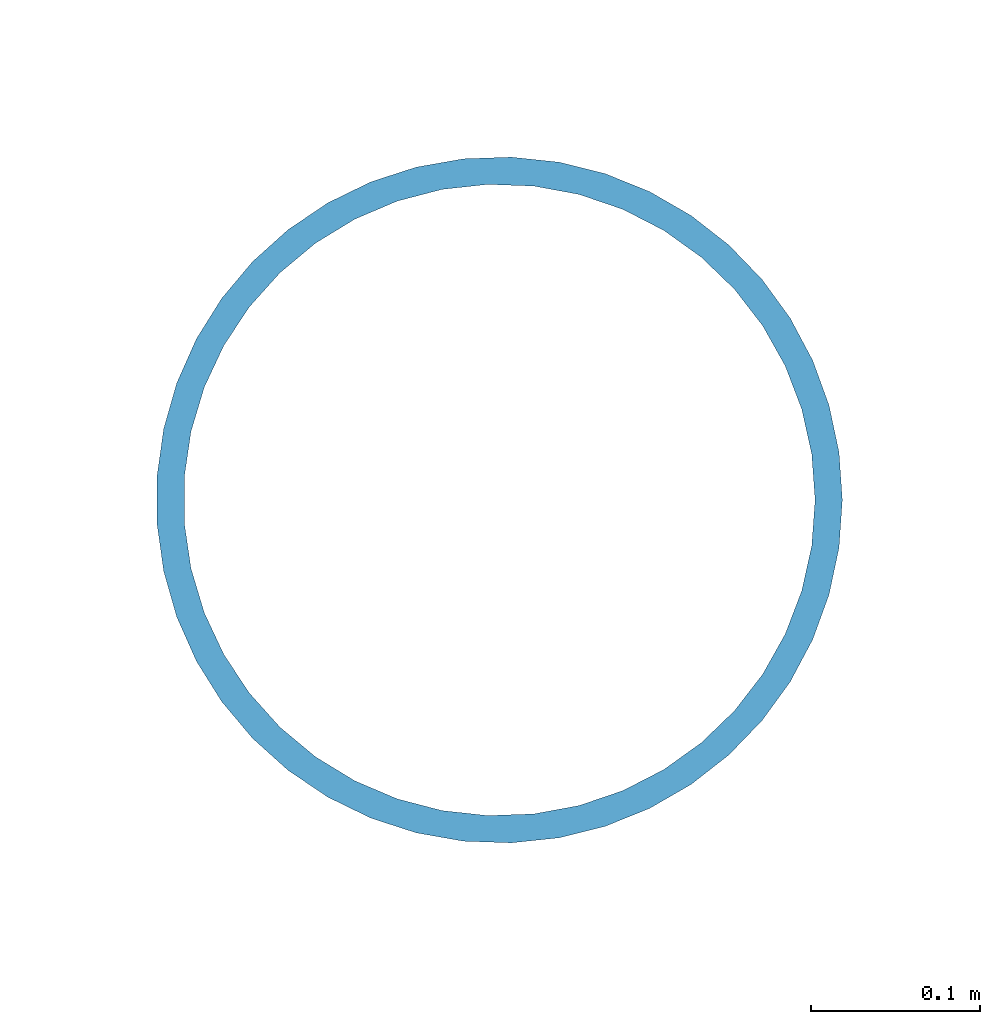
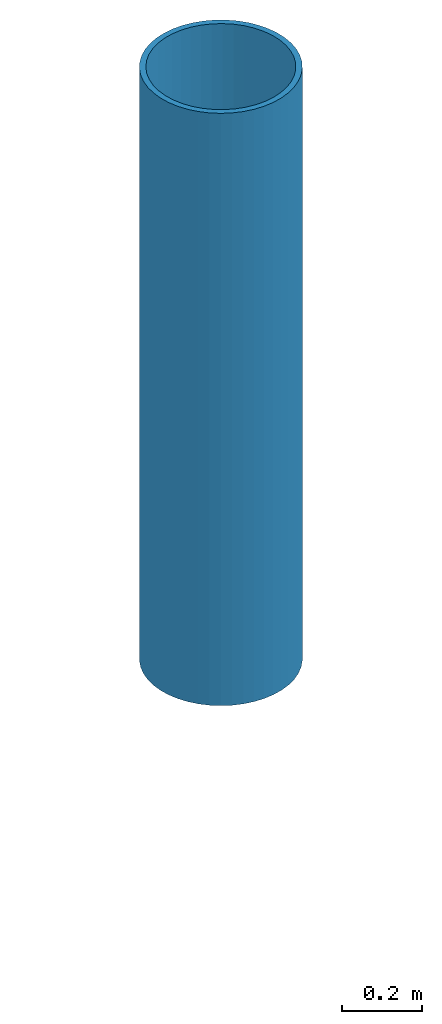
# One storey, part 9 of 101: 1 column.
"""IFC4 building model written with IfcOpenShell, lengths in metres."""

import ifcopenshell
import ifcopenshell.guid

model = None  # the IFC model being written
_history = None  # IfcOwnerHistory: only IFC2X3 demands one
_inside = {}  # id of a spatial element -> (the spatial element, [elements in it])
_under = {}  # id of a project, library or spatial element -> (it, [spatial elements below it])
_declared = {}  # id of a project -> (the project, [libraries it declares])
_typed = {}  # id of a type object -> (the type object, [elements of that type])
_made_of = {}  # id of a material, layer set ... -> (it, [elements and type objects made of it])


def new_model(schema):
    """Start an empty IFC model of exactly this schema.

    Asked for "IFC4X3", IfcOpenShell would pick the latest addendum, in which some entities
    have other attributes; the version numbers below select the first issue.
    IFC2X3 requires an IfcOwnerHistory on every rooted entity: one is made here for all.
    """
    global model, _history
    if schema == "IFC4X3":
        model = ifcopenshell.file(schema_version=(4, 3, 0, 0))
    else:
        model = ifcopenshell.file(schema=schema)
    _inside.clear()
    _under.clear()
    _declared.clear()
    _typed.clear()
    _made_of.clear()
    _history = None
    if model.schema == "IFC2X3":
        org = make("IfcOrganization", Name="unknown")
        user = make(
            "IfcPersonAndOrganization",
            ThePerson=make("IfcPerson", FamilyName="unknown"),
            TheOrganization=org,
        )
        app = make(
            "IfcApplication",
            ApplicationDeveloper=org,
            Version="unknown",
            ApplicationFullName="unknown",
            ApplicationIdentifier="unknown",
        )
        _history = make(
            "IfcOwnerHistory",
            OwningUser=user,
            OwningApplication=app,
            ChangeAction="ADDED",
            CreationDate=0,
        )
    return model


def make(cls, **values):
    """One entity of the class cls with the attributes given. An attribute that is None is left unset."""
    return model.create_entity(
        cls, **{name: value for name, value in values.items() if value is not None}
    )


def rooted(cls, **values):
    """An entity with a GlobalId (a new one), such as an element, a storey or a relation."""
    return make(cls, GlobalId=ifcopenshell.guid.new(), OwnerHistory=_history, **values)


def si_unit(unit_type, name, prefix=None):
    """IfcSIUnit, for example si_unit("LENGTHUNIT", "METRE", prefix="MILLI")."""
    return make("IfcSIUnit", UnitType=unit_type, Prefix=prefix, Name=name)


def assignment(units):
    """IfcUnitAssignment: the units of a project."""
    return None if units is None else make("IfcUnitAssignment", Units=units)


def point(xyz):
    """IfcCartesianPoint."""
    return None if xyz is None else make("IfcCartesianPoint", Coordinates=xyz)


def direction(xyz):
    """IfcDirection."""
    return None if xyz is None else make("IfcDirection", DirectionRatios=xyz)


def frame(location, z_axis=None, x_axis=None):
    """IfcAxis2Placement3D, a coordinate frame: its origin and axes. An axis left out is left unset."""
    return make(
        "IfcAxis2Placement3D",
        Location=point(location),
        Axis=direction(z_axis),
        RefDirection=direction(x_axis),
    )


def frame_2d(location, x_axis=None):
    """IfcAxis2Placement2D, a coordinate frame in the plane: its origin and x axis."""
    return make(
        "IfcAxis2Placement2D", Location=point(location), RefDirection=direction(x_axis)
    )


def origin():
    """The frame at (0, 0, 0) with its axes left unset."""
    return frame((0.0, 0.0, 0.0))


def origin_2d():
    """The frame at (0, 0) in the plane with its x axis left unset."""
    return frame_2d((0.0, 0.0))


def place(relative_to, where):
    """IfcLocalPlacement: puts the frame where relative to a parent placement (None: the world)."""
    return make(
        "IfcLocalPlacement", PlacementRelTo=relative_to, RelativePlacement=where
    )


def context(
    kind, dimensions, precision=None, world=None, true_north=None, identifier=None
):
    """IfcGeometricRepresentationContext, for example the 3D "Model" context."""
    return make(
        "IfcGeometricRepresentationContext",
        ContextIdentifier=identifier,
        ContextType=kind,
        CoordinateSpaceDimension=dimensions,
        Precision=precision,
        WorldCoordinateSystem=world,
        TrueNorth=true_north,
    )


def subcontext(parent, identifier, kind, view, scale=None):
    """IfcGeometricRepresentationSubContext, for example "Body" below "Model"."""
    return make(
        "IfcGeometricRepresentationSubContext",
        ContextIdentifier=identifier,
        ContextType=kind,
        ParentContext=parent,
        TargetScale=scale,
        TargetView=view,
    )


def project(units=None, contexts=None):
    """IfcProject with its units and contexts."""
    return rooted(
        "IfcProject",
        Name="project",
        RepresentationContexts=contexts,
        UnitsInContext=assignment(units),
    )


def spatial(cls, under=None, at=None, **own):
    """A site, building, storey or space (cls), placed at a placement, below another one or the project."""
    s = rooted(cls, ObjectPlacement=at, **own)
    if under is not None:
        _under.setdefault(under.id(), (under, []))[1].append(s)
    return s


def profile(cls, at=None, kind="AREA", **sizes):
    """A parametric profile (cls). Its sizes go by their IFC names, for example OverallWidth=200.0."""
    return make(cls, ProfileType=kind, Position=at, **sizes)


def hollow_circle(**sizes):
    """IfcCircleHollowProfileDef."""
    return profile("IfcCircleHollowProfileDef", **sizes)


def extrude(swept, where, along, depth):
    """IfcExtrudedAreaSolid: the profile swept, set in the frame where, extruded along a direction by depth."""
    return make(
        "IfcExtrudedAreaSolid",
        SweptArea=swept,
        Position=where,
        ExtrudedDirection=direction(along),
        Depth=depth,
    )


def shape(context_of_items, identifier, shape_type, items):
    """IfcShapeRepresentation: the items that make up one representation, for example the "Body"."""
    return make(
        "IfcShapeRepresentation",
        ContextOfItems=context_of_items,
        RepresentationIdentifier=identifier,
        RepresentationType=shape_type,
        Items=items,
    )


def material(Name=None, Category=None):
    """IfcMaterial."""
    return make("IfcMaterial", Name=Name, Category=Category)


def material_profile(
    of_material, cross_section, Name=None, Category=None, Priority=None
):
    """IfcMaterialProfile: a cross section and its material."""
    return make(
        "IfcMaterialProfile",
        Name=Name,
        Material=of_material,
        Profile=cross_section,
        Priority=Priority,
        Category=Category,
    )


def profile_set(profiles, Name=None, composite=None):
    """IfcMaterialProfileSet."""
    return make(
        "IfcMaterialProfileSet",
        Name=Name,
        MaterialProfiles=profiles,
        CompositeProfile=composite,
    )


def made_of(thing, what):
    """Note that an element or type object is made of a material, layer set ...; save() writes the relation."""
    if what is not None:
        _made_of.setdefault(what.id(), (what, []))[1].append(thing)
    return thing


def type_object(cls, material=None, **own):
    """A type object (cls), such as IfcWallType, which elements share."""
    return made_of(rooted(cls, **own), material)


def element(
    cls,
    number,
    at=None,
    inside=None,
    cuts=None,
    type_object=None,
    material=None,
    context=None,
    identifier="Body",
    shape_type=None,
    held_by="IfcProductDefinitionShape",
    body=None,
    shapes=None,
    **own,
):
    """One element of the class cls, such as IfcWall. Its Tag is "e" and its number.

    at: its placement. inside: the storey or other place that contains it. cuts: it is an
    opening in that element (IfcRelVoidsElement). A single representation is given by context,
    identifier, shape_type and body (its items); several are given by shapes. held_by: the class
    of the entity that holds the representations. save() writes the other relations.
    """
    e = rooted(cls, Tag="e%d" % number, ObjectPlacement=at, **own)
    if body is not None:
        shapes = [shape(context, identifier, shape_type, body)]
    if shapes is not None:
        e.Representation = make(held_by, Representations=shapes)
    if inside is not None:
        _inside.setdefault(inside.id(), (inside, []))[1].append(e)
    if cuts is not None:
        rooted(
            "IfcRelVoidsElement", RelatingBuildingElement=cuts, RelatedOpeningElement=e
        )
    if type_object is not None:
        _typed.setdefault(type_object.id(), (type_object, []))[1].append(e)
    return made_of(e, material)


def aggregate(whole, parts):
    """IfcRelAggregates: a whole, such as a stair, and the parts it consists of."""
    return rooted("IfcRelAggregates", RelatingObject=whole, RelatedObjects=parts)


def save(model, path):
    """Write the relations noted so far, then the file.

    IfcRelAggregates (storeys below a building ...), IfcRelContainedInSpatialStructure (elements
    in a storey), IfcRelDefinesByType, IfcRelAssociatesMaterial and IfcRelDeclares: one each for
    every whole, place, type object, material and project.
    """
    for whole, parts in _under.values():
        aggregate(whole, parts)
    for where, things in _inside.values():
        rooted(
            "IfcRelContainedInSpatialStructure",
            RelatedElements=things,
            RelatingStructure=where,
        )
    for kind, things in _typed.values():
        rooted("IfcRelDefinesByType", RelatedObjects=things, RelatingType=kind)
    for what, things in _made_of.values():
        rooted("IfcRelAssociatesMaterial", RelatedObjects=things, RelatingMaterial=what)
    for by, libraries in _declared.values():
        rooted("IfcRelDeclares", RelatingContext=by, RelatedDefinitions=libraries)
    model.write(path)


model = new_model("IFC4")

# Units and contexts
model_context = context("Model", 3, precision=1e-05, world=origin(), true_north=direction((0.0, 1.0)))
body_context = subcontext(model_context, "Body", "Model", "MODEL_VIEW")
ifc_project = project(units=[si_unit("LENGTHUNIT", "METRE"), si_unit("AREAUNIT", "SQUARE_METRE"), si_unit("VOLUMEUNIT", "CUBIC_METRE"), si_unit("PLANEANGLEUNIT", "RADIAN"), si_unit("MASSUNIT", "GRAM", prefix="KILO")], contexts=[model_context])

# Site, building, storey
site_placement = place(None, origin())
site = spatial("IfcSite", under=ifc_project, at=site_placement, CompositionType="ELEMENT")
building_placement = place(site_placement, origin())
building = spatial("IfcBuilding", under=site, at=building_placement, Name="Magnolia Steps Interchange", CompositionType="ELEMENT")
storey_placement = place(building_placement, frame((0.0, 0.0, -5.39990234375)))
storey = spatial("IfcBuildingStorey", under=building, at=storey_placement, Name="B1", CompositionType="ELEMENT", Elevation=-5.39990234375)

# Column
ifc_material = material(Name="Steel Q355B", Category="steel")
ifc_material_profile = material_profile(ifc_material, hollow_circle(Radius=0.202880859375, WallThickness=0.01611328125, at=origin_2d()), Name="CHS406x16")
ifc_profile_set = profile_set([ifc_material_profile], Name="Steel Q355B")
column_type = type_object("IfcColumnType", Name="Truss tip prop CHS406x16", PredefinedType="COLUMN", material=ifc_profile_set)
column_placement = place(storey_placement, frame((191.320556640625, 83.320556640625, 3.599853515625), z_axis=(0.0, 0.0, 1.0), x_axis=(1.0, 0.0, 0.0)))
element("IfcColumn", 1, at=column_placement, inside=storey, type_object=column_type, Name="Tip prop SP-C-NE", PredefinedType="COLUMN", context=body_context, shape_type="SweptSolid", body=[
    extrude(hollow_circle(Radius=0.202880859375, WallThickness=0.01611328125, at=origin_2d()), origin(), (0.0, 0.0, 1.0), 1.800048828125),
])

save(model, "model.ifc")
